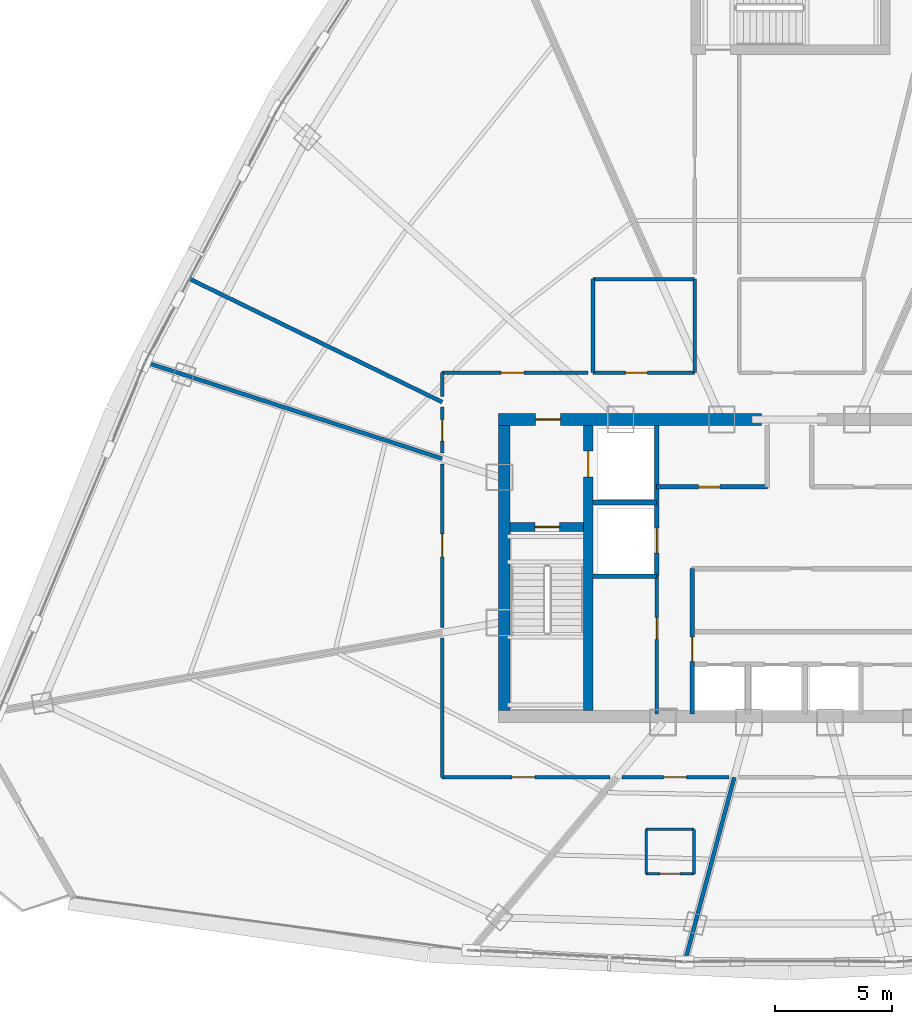
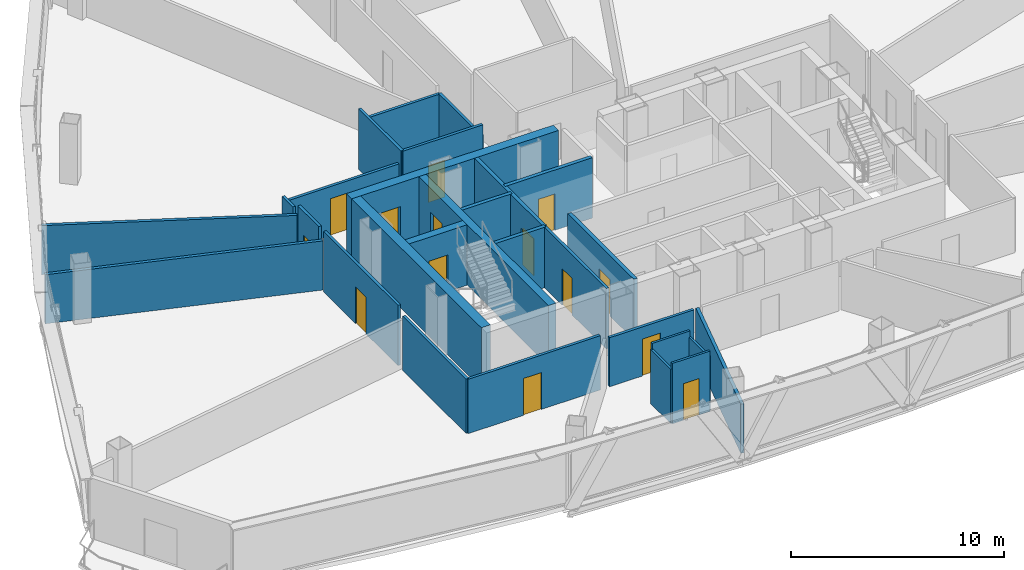
# One storey, part 30 of 37: 28 walls, 14 doors, 14 openings.
"""IFC4 building model written with IfcOpenShell, lengths in metres."""

from ifc_helpers import new_model, si_unit, direction, frame, frame_2d, origin, origin_with_axes, place, context, subcontext, project, spatial, rectangle, extrude, source, transform, mapped, material, layer, layer_set, type_object, element, fill, save


model = new_model("IFC4")

# Units and contexts
model_context = context("Model", 3, precision=1e-05, world=origin(), true_north=direction((0.0, 1.0)))
body_context = subcontext(model_context, "Body", "Model", "MODEL_VIEW")
ifc_project = project(units=[si_unit("LENGTHUNIT", "METRE"), si_unit("AREAUNIT", "SQUARE_METRE"), si_unit("VOLUMEUNIT", "CUBIC_METRE"), si_unit("PLANEANGLEUNIT", "RADIAN"), si_unit("MASSUNIT", "GRAM", prefix="KILO"), si_unit("THERMODYNAMICTEMPERATUREUNIT", "KELVIN"), si_unit("POWERUNIT", "WATT")], contexts=[model_context])

# Site, building, storey
site_placement = place(None, origin())
site = spatial("IfcSite", under=ifc_project, at=site_placement, CompositionType="ELEMENT")
building_placement = place(site_placement, origin())
building = spatial("IfcBuilding", under=site, at=building_placement, Name="Yunzhuo Pagoda Commons", CompositionType="ELEMENT")
storey_placement = place(building_placement, frame((0.0, 0.0, 255.719970703125)))
storey = spatial("IfcBuildingStorey", under=building, at=storey_placement, Name="L64", CompositionType="ELEMENT", Elevation=255.719970703125)

# Wall, opening, door
ifc_material_1 = material(Name="Concrete C50", Category="concrete")
ifc_layer_1 = layer(ifc_material_1, 0.5)
ifc_layer_set_1 = layer_set([ifc_layer_1], Name="Concrete C50")
wall_type_1 = type_object("IfcWallType", Name="W-C03 Upper Core Shear Wall 500", PredefinedType="SHEAR", material=ifc_layer_set_1)
wall_1_placement = place(storey_placement, frame((35.550048828125, 40.199951171875, 0.0), z_axis=(0.0, 0.0, 1.0), x_axis=(1.0, 0.0, 0.0)))
wall_1 = element("IfcWall", 1, at=wall_1_placement, inside=storey, type_object=wall_type_1, Name="L64 core shear wall NW", PredefinedType="SHEAR", context=body_context, shape_type="SweptSolid", body=[
    extrude(rectangle(XDim=11.25, YDim=0.5, at=frame_2d((5.625, 0.0))), origin(), (0.0, 0.0, 1.0), 3.469970703125),
])
opening_1_placement = place(wall_1_placement, frame((1.60009765625, 0.0, 0.0)))
opening_1 = element("IfcOpeningElement", 2, at=opening_1_placement, cuts=wall_1, Name="Opening D-02", PredefinedType="OPENING", context=body_context, shape_type="SweptSolid", body=[
    extrude(rectangle(XDim=1.050048828125, YDim=2.10009765625, at=frame_2d((0.52490234375, 1.050048828125))), frame((0.0, 0.260009765625, 0.0), z_axis=(0.0, -1.0, 0.0), x_axis=(1.0, 0.0, 0.0)), (0.0, 0.0, 1.0), 0.52001953125),
])
ifc_material_2 = material(Name="Galvanized fire-resisting metal leaf")
door_type_1 = type_object("IfcDoorType", Name="D-02 Firefighting Lobby & Refuge Fire Door 1050x2100", OperationType="NOTDEFINED", PredefinedType="DOOR", material=ifc_material_2)
shared_shape_1 = source(origin(), body_context, "Body", "SweptSolid", [
    extrude(rectangle(XDim=1.050048828125, YDim=2.10009765625, at=frame_2d((0.52490234375, 1.050048828125))), frame((0.0, 0.02490234375, 0.0), z_axis=(0.0, -1.0, 0.0), x_axis=(1.0, 0.0, 0.0)), (0.0, 0.0, 1.0), 0.050048828125),
])
door_1_placement = place(opening_1_placement, frame((1.050048828125, 0.0, 0.0), z_axis=(0.0, 0.0, 1.0), x_axis=(-1.0, 0.0, 0.0)))
door_1 = element("IfcDoor", 3, at=door_1_placement, inside=storey, type_object=door_type_1, Name="L64 Firefighting Lobby 1 fire door", OperationType="SINGLE_SWING_LEFT", OverallHeight=2.10009765625, OverallWidth=1.050048828125, PredefinedType="DOOR", context=body_context, shape_type="MappedRepresentation", body=[
    mapped(shared_shape_1, transform((0.0, 0.0, 0.0), scale=1.0)),
])
fill(opening_1, door_1)

# Wall
wall_2_placement = place(storey_placement, frame((35.800048828125, 27.75, 0.0), z_axis=(0.0, 0.0, 1.0), x_axis=(0.0, 1.0, 0.0)))
element("IfcWall", 4, at=wall_2_placement, inside=storey, type_object=wall_type_1, Name="L64 core shear wall W", PredefinedType="SHEAR", context=body_context, shape_type="SweptSolid", body=[
    extrude(rectangle(XDim=12.199951171875, YDim=0.5, at=frame_2d((6.10009765625, 0.0))), origin(), (0.0, 0.0, 1.0), 3.469970703125),
])

# Wall, opening, door
ifc_material_3 = material(Name="Gypsum plasterboard on acoustic stud")
ifc_layer_2 = layer(ifc_material_3, 0.14990234375)
ifc_layer_set_2 = layer_set([ifc_layer_2], Name="Gypsum plasterboard on acoustic stud")
wall_type_2 = type_object("IfcWallType", Name="W-COR3 High-Zone Rated Corridor Wall 150", PredefinedType="PARTITIONING", material=ifc_layer_set_2)
wall_3_placement = place(storey_placement, frame((42.320068359375, 27.60009765625, 0.0), z_axis=(0.0, 0.0, 1.0), x_axis=(0.0, 1.0, 0.0)))
wall_3 = element("IfcWall", 5, at=wall_3_placement, inside=storey, type_object=wall_type_2, Name="L64 interior wall IW-L64-CSWE", PredefinedType="PARTITIONING", context=body_context, shape_type="SweptSolid", body=[
    extrude(rectangle(XDim=5.89990234375, YDim=0.14990234375, at=frame_2d((2.949951171875, 0.0))), origin(), (0.0, 0.0, 1.0), 3.469970703125),
])
opening_2_placement = place(wall_3_placement, frame((3.199951171875, 0.0, 0.0)))
opening_2 = element("IfcOpeningElement", 6, at=opening_2_placement, cuts=wall_3, Name="Opening D-11", PredefinedType="OPENING", context=body_context, shape_type="SweptSolid", body=[
    extrude(rectangle(XDim=0.93994140625, YDim=2.10009765625, at=frame_2d((0.469970703125, 1.050048828125))), frame((0.0, 0.0849609375, 0.0), z_axis=(0.0, -1.0, 0.0), x_axis=(1.0, 0.0, 0.0)), (0.0, 0.0, 1.0), 0.169921875),
])
door_type_2 = type_object("IfcDoorType", Name="D-11 Accessible Washroom Fire Door 940x2100", OperationType="NOTDEFINED", PredefinedType="DOOR", material=ifc_material_2)
shared_shape_2 = source(origin(), body_context, "Body", "SweptSolid", [
    extrude(rectangle(XDim=0.93994140625, YDim=2.10009765625, at=frame_2d((0.469970703125, 1.050048828125))), frame((0.0, 0.02490234375, 0.0), z_axis=(0.0, -1.0, 0.0), x_axis=(1.0, 0.0, 0.0)), (0.0, 0.0, 1.0), 0.050048828125),
])
door_2_placement = place(opening_2_placement, origin_with_axes())
door_2 = element("IfcDoor", 7, at=door_2_placement, inside=storey, type_object=door_type_2, Name="L64 core WC door", OperationType="SINGLE_SWING_LEFT", OverallHeight=2.10009765625, OverallWidth=0.93994140625, PredefinedType="DOOR", context=body_context, shape_type="MappedRepresentation", body=[
    mapped(shared_shape_2, transform((0.0, 0.0, 0.0), scale=1.0)),
])
fill(opening_2, door_2)

wall_4_placement = place(storey_placement, frame((39.60009765625, 42.199951171875, 0.0), z_axis=(0.0, 0.0, 1.0), x_axis=(1.0, 0.0, 0.0)))
wall_4 = element("IfcWall", 8, at=wall_4_placement, inside=storey, type_object=wall_type_2, Name="L64 interior wall IW-L64-TFWS", PredefinedType="PARTITIONING", context=body_context, shape_type="SweptSolid", body=[
    extrude(rectangle(XDim=4.349853515625, YDim=0.14990234375, at=frame_2d((2.1748046875, 0.0))), origin(), (0.0, 0.0, 1.0), 3.469970703125),
])
opening_3_placement = place(wall_4_placement, frame((1.39990234375, 0.0, 0.0)))
opening_3 = element("IfcOpeningElement", 9, at=opening_3_placement, cuts=wall_4, Name="Opening D-04", PredefinedType="OPENING", context=body_context, shape_type="SweptSolid", body=[
    extrude(rectangle(XDim=0.919921875, YDim=2.10009765625, at=frame_2d((0.4599609375, 1.050048828125))), frame((0.0, 0.0849609375, 0.0), z_axis=(0.0, -1.0, 0.0), x_axis=(1.0, 0.0, 0.0)), (0.0, 0.0, 1.0), 0.169921875),
])
ifc_material_4 = material(Name="Powder-coated aluminium and timber acoustic leaf", Category="wood")
door_type_3 = type_object("IfcDoorType", Name="D-04 Bedroom & Study Interior Door 920x2100", OperationType="NOTDEFINED", PredefinedType="DOOR", material=ifc_material_4)
shared_shape_3 = source(origin(), body_context, "Body", "SweptSolid", [
    extrude(rectangle(XDim=0.919921875, YDim=2.10009765625, at=frame_2d((0.4599609375, 1.050048828125))), frame((0.0, 0.02490234375, 0.0), z_axis=(0.0, -1.0, 0.0), x_axis=(1.0, 0.0, 0.0)), (0.0, 0.0, 1.0), 0.050048828125),
])
door_3_placement = place(opening_3_placement, frame((0.919921875, 0.0, 0.0), z_axis=(0.0, 0.0, 1.0), x_axis=(-1.0, 0.0, 0.0)))
door_3 = element("IfcDoor", 10, at=door_3_placement, inside=storey, type_object=door_type_3, Name="L64 laundry door", OperationType="SINGLE_SWING_LEFT", OverallHeight=2.10009765625, OverallWidth=0.919921875, PredefinedType="DOOR", context=body_context, shape_type="MappedRepresentation", body=[
    mapped(shared_shape_3, transform((0.0, 0.0, 0.0), scale=1.0)),
])
fill(opening_3, door_3)

# Walls
wall_5_placement = place(storey_placement, frame((39.60009765625, 46.199951171875, 0.0), z_axis=(0.0, 0.0, 1.0), x_axis=(1.0, 0.0, 0.0)))
element("IfcWall", 11, at=wall_5_placement, inside=storey, type_object=wall_type_2, Name="L64 interior wall IW-L64-TFWN", PredefinedType="PARTITIONING", context=body_context, shape_type="SweptSolid", body=[
    extrude(rectangle(XDim=4.349853515625, YDim=0.14990234375, at=frame_2d((2.1748046875, 0.0))), origin(), (0.0, 0.0, 1.0), 2.820068359375),
])
wall_6_placement = place(storey_placement, frame((39.60009765625, 42.199951171875, 0.0), z_axis=(0.0, 0.0, 1.0), x_axis=(0.0, 1.0, 0.0)))
element("IfcWall", 12, at=wall_6_placement, inside=storey, type_object=wall_type_2, Name="L64 interior wall IW-L64-TFWW", PredefinedType="PARTITIONING", context=body_context, shape_type="SweptSolid", body=[
    extrude(rectangle(XDim=4.0, YDim=0.14990234375, at=frame_2d((2.0, 0.0))), origin(), (0.0, 0.0, 1.0), 3.469970703125),
])
wall_7_placement = place(storey_placement, frame((43.949951171875, 42.199951171875, 0.0), z_axis=(0.0, 0.0, 1.0), x_axis=(0.0, 1.0, 0.0)))
element("IfcWall", 13, at=wall_7_placement, inside=storey, type_object=wall_type_2, Name="L64 interior wall IW-L64-TFWE", PredefinedType="PARTITIONING", context=body_context, shape_type="SweptSolid", body=[
    extrude(rectangle(XDim=4.0, YDim=0.14990234375, at=frame_2d((2.0, 0.0))), origin(), (0.0, 0.0, 1.0), 2.820068359375),
])
wall_8_placement = place(storey_placement, frame((33.14990234375, 24.89990234375, 0.0), z_axis=(0.0, 0.0, 1.0), x_axis=(0.0, 1.0, 0.0)))
element("IfcWall", 14, at=wall_8_placement, inside=storey, type_object=wall_type_2, Name="L64 interior wall IW-L64-CWL01", PredefinedType="PARTITIONING", context=body_context, shape_type="SweptSolid", body=[
    extrude(rectangle(XDim=5.958251953125, YDim=0.14990234375, at=frame_2d((2.97900390625, 0.0))), origin(), (0.0, 0.0, 1.0), 3.1201171875),
])

# Wall, opening, door
wall_9_placement = place(storey_placement, frame((33.14990234375, 31.30126953125, 0.0), z_axis=(0.0, 0.0, 1.0), x_axis=(0.0, 1.0, 0.0)))
wall_9 = element("IfcWall", 15, at=wall_9_placement, inside=storey, type_object=wall_type_2, Name="L64 interior wall IW-L64-CWL02", PredefinedType="PARTITIONING", context=body_context, shape_type="SweptSolid", body=[
    extrude(rectangle(XDim=7.004150390625, YDim=0.14990234375, at=frame_2d((3.501953125, 0.0))), origin(), (0.0, 0.0, 1.0), 3.469970703125),
])
opening_4_placement = place(wall_9_placement, frame((3.027099609375, 0.0, 0.0)))
opening_4 = element("IfcOpeningElement", 16, at=opening_4_placement, cuts=wall_9, Name="Opening D-08", PredefinedType="OPENING", context=body_context, shape_type="SweptSolid", body=[
    extrude(rectangle(XDim=0.97998046875, YDim=2.1201171875, at=frame_2d((0.489990234375, 1.06005859375))), frame((0.0, 0.0849609375, 0.0), z_axis=(0.0, -1.0, 0.0), x_axis=(1.0, 0.0, 0.0)), (0.0, 0.0, 1.0), 0.169921875),
])
door_type_4 = type_object("IfcDoorType", Name="D-08 High-Zone Suite Entrance Fire Door 980x2120", OperationType="NOTDEFINED", PredefinedType="DOOR", material=ifc_material_2)
shared_shape_4 = source(origin(), body_context, "Body", "SweptSolid", [
    extrude(rectangle(XDim=0.97998046875, YDim=2.1201171875, at=frame_2d((0.489990234375, 1.06005859375))), frame((0.0, 0.02490234375, 0.0), z_axis=(0.0, -1.0, 0.0), x_axis=(1.0, 0.0, 0.0)), (0.0, 0.0, 1.0), 0.050048828125),
])
door_4_placement = place(opening_4_placement, origin_with_axes())
door_4 = element("IfcDoor", 17, at=door_4_placement, inside=storey, type_object=door_type_4, Name="L64 unit 07 entrance door", OperationType="SINGLE_SWING_LEFT", OverallHeight=2.1201171875, OverallWidth=0.97998046875, PredefinedType="DOOR", context=body_context, shape_type="MappedRepresentation", body=[
    mapped(shared_shape_4, transform((0.0, 0.0, 0.0), scale=1.0)),
])
fill(opening_4, door_4)

wall_10_placement = place(storey_placement, frame((33.14990234375, 38.75634765625, 0.0), z_axis=(0.0, 0.0, 1.0), x_axis=(0.0, 1.0, 0.0)))
wall_10 = element("IfcWall", 18, at=wall_10_placement, inside=storey, type_object=wall_type_2, Name="L64 interior wall IW-L64-CWL03", PredefinedType="PARTITIONING", context=body_context, shape_type="SweptSolid", body=[
    extrude(rectangle(XDim=1.966552734375, YDim=0.14990234375, at=frame_2d((0.9833984375, 0.0))), origin(), (0.0, 0.0, 1.0), 3.469970703125),
])
opening_5_placement = place(wall_10_placement, frame((0.517578125, 0.0, 0.0)))
opening_5 = element("IfcOpeningElement", 19, at=opening_5_placement, cuts=wall_10, Name="Opening D-04", PredefinedType="OPENING", context=body_context, shape_type="SweptSolid", body=[
    extrude(rectangle(XDim=0.919921875, YDim=2.10009765625, at=frame_2d((0.4599609375, 1.050048828125))), frame((0.0, 0.0849609375, 0.0), z_axis=(0.0, -1.0, 0.0), x_axis=(1.0, 0.0, 0.0)), (0.0, 0.0, 1.0), 0.169921875),
])
door_5_placement = place(opening_5_placement, origin_with_axes())
door_5 = element("IfcDoor", 20, at=door_5_placement, inside=storey, type_object=door_type_3, Name="L64 seminar room 06 door", OperationType="SINGLE_SWING_RIGHT", OverallHeight=2.10009765625, OverallWidth=0.919921875, PredefinedType="DOOR", context=body_context, shape_type="MappedRepresentation", body=[
    mapped(shared_shape_3, transform((0.0, 0.0, 0.0), scale=1.0)),
])
fill(opening_5, door_5)

# Wall
wall_11_placement = place(storey_placement, frame((33.14990234375, 41.1875, 0.0), z_axis=(0.0, 0.0, 1.0), x_axis=(0.0, 1.0, 0.0)))
element("IfcWall", 21, at=wall_11_placement, inside=storey, type_object=wall_type_2, Name="L64 interior wall IW-L64-CWL04", PredefinedType="PARTITIONING", context=body_context, shape_type="SweptSolid", body=[
    extrude(rectangle(XDim=1.012451171875, YDim=0.14990234375, at=frame_2d((0.50634765625, 0.0))), origin(), (0.0, 0.0, 1.0), 3.1201171875),
])

# Wall, opening, door
wall_12_placement = place(storey_placement, frame((33.14990234375, 42.199951171875, 0.0), z_axis=(0.0, 0.0, 1.0), x_axis=(1.0, 0.0, 0.0)))
wall_12 = element("IfcWall", 22, at=wall_12_placement, inside=storey, type_object=wall_type_2, Name="L64 interior wall IW-L64-CWL05", PredefinedType="PARTITIONING", context=body_context, shape_type="SweptSolid", body=[
    extrude(rectangle(XDim=6.22998046875, YDim=0.14990234375, at=frame_2d((3.114990234375, 0.0))), origin(), (0.0, 0.0, 1.0), 2.820068359375),
])
opening_6_placement = place(wall_12_placement, frame((2.52001953125, 0.0, 0.0)))
opening_6 = element("IfcOpeningElement", 23, at=opening_6_placement, cuts=wall_12, Name="Opening D-08", PredefinedType="OPENING", context=body_context, shape_type="SweptSolid", body=[
    extrude(rectangle(XDim=0.97998046875, YDim=2.1201171875, at=frame_2d((0.489990234375, 1.06005859375))), frame((0.0, 0.0849609375, 0.0), z_axis=(0.0, -1.0, 0.0), x_axis=(1.0, 0.0, 0.0)), (0.0, 0.0, 1.0), 0.169921875),
])
door_6_placement = place(opening_6_placement, origin_with_axes())
door_6 = element("IfcDoor", 24, at=door_6_placement, inside=storey, type_object=door_type_4, Name="L64 Resident Co-Living Commons Hall door", OperationType="SINGLE_SWING_LEFT", OverallHeight=2.1201171875, OverallWidth=0.97998046875, PredefinedType="DOOR", context=body_context, shape_type="MappedRepresentation", body=[
    mapped(shared_shape_4, transform((0.0, 0.0, 0.0), scale=1.0)),
])
fill(opening_6, door_6)

wall_13_placement = place(storey_placement, frame((45.414306640625, 24.89990234375, 0.0), z_axis=(0.0, 0.0, 1.0), x_axis=(-1.0, 0.0, 0.0)))
wall_13 = element("IfcWall", 25, at=wall_13_placement, inside=storey, type_object=wall_type_2, Name="L64 interior wall IW-L64-CWL16", PredefinedType="PARTITIONING", context=body_context, shape_type="SweptSolid", body=[
    extrude(rectangle(XDim=4.57861328125, YDim=0.14990234375, at=frame_2d((2.289306640625, 0.0))), origin(), (0.0, 0.0, 1.0), 2.820068359375),
])
opening_7_placement = place(wall_13_placement, frame((1.810302734375, 0.0, 0.0)))
opening_7 = element("IfcOpeningElement", 26, at=opening_7_placement, cuts=wall_13, Name="Opening D-08", PredefinedType="OPENING", context=body_context, shape_type="SweptSolid", body=[
    extrude(rectangle(XDim=0.97998046875, YDim=2.1201171875, at=frame_2d((0.489990234375, 1.06005859375))), frame((0.0, 0.0849609375, 0.0), z_axis=(0.0, -1.0, 0.0), x_axis=(1.0, 0.0, 0.0)), (0.0, 0.0, 1.0), 0.169921875),
])
door_7_placement = place(opening_7_placement, origin_with_axes())
door_7 = element("IfcDoor", 27, at=door_7_placement, inside=storey, type_object=door_type_4, Name="L64 unit 09 entrance door", OperationType="SINGLE_SWING_LEFT", OverallHeight=2.1201171875, OverallWidth=0.97998046875, PredefinedType="DOOR", context=body_context, shape_type="MappedRepresentation", body=[
    mapped(shared_shape_4, transform((0.0, 0.0, 0.0), scale=1.0)),
])
fill(opening_7, door_7)

wall_14_placement = place(storey_placement, frame((40.32861328125, 24.89990234375, 0.0), z_axis=(0.0, 0.0, 1.0), x_axis=(-1.0, 0.0, 0.0)))
wall_14 = element("IfcWall", 28, at=wall_14_placement, inside=storey, type_object=wall_type_2, Name="L64 interior wall IW-L64-CWL17", PredefinedType="PARTITIONING", context=body_context, shape_type="SweptSolid", body=[
    extrude(rectangle(XDim=7.1787109375, YDim=0.14990234375, at=frame_2d((3.58935546875, 0.0))), origin(), (0.0, 0.0, 1.0), 3.1201171875),
])
opening_8_placement = place(wall_14_placement, frame((3.20068359375, 0.0, 0.0)))
opening_8 = element("IfcOpeningElement", 29, at=opening_8_placement, cuts=wall_14, Name="Opening D-08", PredefinedType="OPENING", context=body_context, shape_type="SweptSolid", body=[
    extrude(rectangle(XDim=0.97998046875, YDim=2.1201171875, at=frame_2d((0.489990234375, 1.06005859375))), frame((0.0, 0.0849609375, 0.0), z_axis=(0.0, -1.0, 0.0), x_axis=(1.0, 0.0, 0.0)), (0.0, 0.0, 1.0), 0.169921875),
])
door_8_placement = place(opening_8_placement, origin_with_axes())
door_8 = element("IfcDoor", 30, at=door_8_placement, inside=storey, type_object=door_type_4, Name="L64 unit 08 entrance door", OperationType="SINGLE_SWING_RIGHT", OverallHeight=2.1201171875, OverallWidth=0.97998046875, PredefinedType="DOOR", context=body_context, shape_type="MappedRepresentation", body=[
    mapped(shared_shape_4, transform((0.0, 0.0, 0.0), scale=1.0)),
])
fill(opening_8, door_8)

ifc_layer_3 = layer(ifc_material_3, 0.1201171875)
ifc_layer_set_3 = layer_set([ifc_layer_3], Name="Gypsum plasterboard on acoustic stud")
wall_type_3 = type_object("IfcWallType", Name="W-PRT1 Suite & Bathroom Partition 120", PredefinedType="PARTITIONING", material=ifc_layer_set_3)
wall_15_placement = place(storey_placement, frame((41.873046875, 20.777099609375, 0.0), z_axis=(0.0, 0.0, 1.0), x_axis=(1.0, 0.0, 0.0)))
wall_15 = element("IfcWall", 31, at=wall_15_placement, inside=storey, type_object=wall_type_3, Name="L64 interior wall IW-L64-B09S", PredefinedType="PARTITIONING", context=body_context, shape_type="SweptSolid", body=[
    extrude(rectangle(XDim=2.050048828125, YDim=0.1201171875, at=frame_2d((1.02490234375, 0.0))), origin(), (0.0, 0.0, 1.0), 3.469970703125),
])
opening_9_placement = place(wall_15_placement, frame((0.60009765625, 0.0, 0.0)))
opening_9 = element("IfcOpeningElement", 32, at=opening_9_placement, cuts=wall_15, Name="Opening D-05", PredefinedType="OPENING", context=body_context, shape_type="SweptSolid", body=[
    extrude(rectangle(XDim=0.85009765625, YDim=2.10009765625, at=frame_2d((0.425048828125, 1.050048828125))), frame((0.0, 0.070068359375, 0.0), z_axis=(0.0, -1.0, 0.0), x_axis=(1.0, 0.0, 0.0)), (0.0, 0.0, 1.0), 0.14013671875),
])
door_type_5 = type_object("IfcDoorType", Name="D-05 En-Suite Bathroom Door 850x2100", OperationType="NOTDEFINED", PredefinedType="DOOR", material=ifc_material_4)
shared_shape_5 = source(origin(), body_context, "Body", "SweptSolid", [
    extrude(rectangle(XDim=0.85009765625, YDim=2.10009765625, at=frame_2d((0.425048828125, 1.050048828125))), frame((0.0, 0.02490234375, 0.0), z_axis=(0.0, -1.0, 0.0), x_axis=(1.0, 0.0, 0.0)), (0.0, 0.0, 1.0), 0.050048828125),
])
door_9_placement = place(opening_9_placement, frame((0.85009765625, 0.0, 0.0), z_axis=(0.0, 0.0, 1.0), x_axis=(-1.0, 0.0, 0.0)))
door_9 = element("IfcDoor", 33, at=door_9_placement, inside=storey, type_object=door_type_5, Name="L64 unit 09 bathroom door", OperationType="SINGLE_SWING_LEFT", OverallHeight=2.10009765625, OverallWidth=0.85009765625, PredefinedType="DOOR", context=body_context, shape_type="MappedRepresentation", body=[
    mapped(shared_shape_5, transform((0.0, 0.0, 0.0), scale=1.0)),
])
fill(opening_9, door_9)

# Walls
wall_16_placement = place(storey_placement, frame((43.923095703125, 20.777099609375, 0.0), z_axis=(0.0, 0.0, 1.0), x_axis=(0.0, 1.0, 0.0)))
element("IfcWall", 34, at=wall_16_placement, inside=storey, type_object=wall_type_3, Name="L64 interior wall IW-L64-B09E", PredefinedType="PARTITIONING", context=body_context, shape_type="SweptSolid", body=[
    extrude(rectangle(XDim=1.89990234375, YDim=0.1201171875, at=frame_2d((0.949951171875, 0.0))), origin(), (0.0, 0.0, 1.0), 3.1201171875),
])
wall_17_placement = place(storey_placement, frame((43.923095703125, 22.677001953125, 0.0), z_axis=(0.0, 0.0, 1.0), x_axis=(-1.0, 0.0, 0.0)))
element("IfcWall", 35, at=wall_17_placement, inside=storey, type_object=wall_type_3, Name="L64 interior wall IW-L64-B09N", PredefinedType="PARTITIONING", context=body_context, shape_type="SweptSolid", body=[
    extrude(rectangle(XDim=2.050048828125, YDim=0.1201171875, at=frame_2d((1.02490234375, 0.0))), origin(), (0.0, 0.0, 1.0), 3.469970703125),
])
wall_18_placement = place(storey_placement, frame((41.873046875, 22.677001953125, 0.0), z_axis=(0.0, 0.0, 1.0), x_axis=(0.0, -1.0, 0.0)))
element("IfcWall", 36, at=wall_18_placement, inside=storey, type_object=wall_type_3, Name="L64 interior wall IW-L64-B09W", PredefinedType="PARTITIONING", context=body_context, shape_type="SweptSolid", body=[
    extrude(rectangle(XDim=1.89990234375, YDim=0.1201171875, at=frame_2d((0.949951171875, 0.0))), origin(), (0.0, 0.0, 1.0), 3.1201171875),
])
ifc_layer_4 = layer(ifc_material_3, 0.169921875)
ifc_layer_set_4 = layer_set([ifc_layer_4], Name="Gypsum plasterboard on acoustic stud")
wall_type_4 = type_object("IfcWallType", Name="W-PRT4 High-Zone Demising Wall 170", PredefinedType="PARTITIONING", material=ifc_layer_set_4)
wall_19_placement = place(storey_placement, frame((33.14990234375, 40.94287109375, 0.0), z_axis=(0.0, 0.0, 1.0), x_axis=(-0.89879494126, 0.438369311842, 0.0)))
element("IfcWall", 37, at=wall_19_placement, inside=storey, type_object=wall_type_4, Name="L64 interior wall IW-L64-RAD06", PredefinedType="PARTITIONING", context=body_context, shape_type="SweptSolid", body=[
    extrude(rectangle(XDim=12.04296875, YDim=0.169921875, at=frame_2d((6.021484375, 0.0))), origin(), (0.0, 0.0, 1.0), 2.820068359375),
])
wall_20_placement = place(storey_placement, frame((33.14990234375, 38.525146484375, 0.0), z_axis=(0.0, 0.0, 1.0), x_axis=(-0.951055435747, 0.30902031994, 0.0)))
element("IfcWall", 38, at=wall_20_placement, inside=storey, type_object=wall_type_4, Name="L64 interior wall IW-L64-RAD07", PredefinedType="PARTITIONING", context=body_context, shape_type="SweptSolid", body=[
    extrude(rectangle(XDim=13.349365234375, YDim=0.169921875, at=frame_2d((6.6748046875, 0.0))), origin(), (0.0, 0.0, 1.0), 2.820068359375),
])
wall_21_placement = place(storey_placement, frame((45.64208984375, 24.89990234375, 0.0), z_axis=(0.0, 0.0, 1.0), x_axis=(-0.258833622746, -0.965921920103, 0.0)))
element("IfcWall", 39, at=wall_21_placement, inside=storey, type_object=wall_type_4, Name="L64 interior wall IW-L64-RAD10", PredefinedType="PARTITIONING", context=body_context, shape_type="SweptSolid", body=[
    extrude(rectangle(XDim=8.174072265625, YDim=0.169921875, at=frame_2d((4.0869140625, 0.0))), origin(), (0.0, 0.0, 1.0), 2.820068359375),
])

# Wall, opening, door
ifc_material_5 = material(Name="Concrete C60", Category="concrete")
ifc_layer_5 = layer(ifc_material_5, 0.39990234375)
ifc_layer_set_5 = layer_set([ifc_layer_5], Name="Concrete C60")
wall_type_5 = type_object("IfcWallType", Name="W-S01 Internal Core Shear Web 400", PredefinedType="SHEAR", material=ifc_layer_set_5)
wall_22_placement = place(storey_placement, frame((39.39990234375, 27.75, 0.0), z_axis=(0.0, 0.0, 1.0), x_axis=(0.0, 1.0, 0.0)))
wall_22 = element("IfcWall", 40, at=wall_22_placement, inside=storey, type_object=wall_type_5, Name="L64 core shear wall WEBW", PredefinedType="SHEAR", context=body_context, shape_type="SweptSolid", body=[
    extrude(rectangle(XDim=12.199951171875, YDim=0.39990234375, at=frame_2d((6.10009765625, 0.0))), origin(), (0.0, 0.0, 1.0), 3.469970703125),
])
opening_10_placement = place(wall_22_placement, frame((10.0, 0.0, 0.0)))
opening_10 = element("IfcOpeningElement", 41, at=opening_10_placement, cuts=wall_22, Name="Opening LD-01", PredefinedType="OPENING", context=body_context, shape_type="SweptSolid", body=[
    extrude(rectangle(XDim=1.10009765625, YDim=2.10009765625, at=frame_2d((0.550048828125, 1.050048828125))), frame((0.0, 0.2099609375, 0.0), z_axis=(0.0, -1.0, 0.0), x_axis=(1.0, 0.0, 0.0)), (0.0, 0.0, 1.0), 0.419921875),
])
door_type_6 = type_object("IfcDoorType", Name="LD-01 Firefighting Lift Landing Door 1100x2100", OperationType="DOUBLE_DOOR_SLIDING", PredefinedType="DOOR", material=ifc_material_2)
shared_shape_6 = source(origin(), body_context, "Body", "SweptSolid", [
    extrude(rectangle(XDim=1.10009765625, YDim=2.10009765625, at=frame_2d((0.550048828125, 1.050048828125))), frame((0.0, 0.02490234375, 0.0), z_axis=(0.0, -1.0, 0.0), x_axis=(1.0, 0.0, 0.0)), (0.0, 0.0, 1.0), 0.050048828125),
])
door_10_placement = place(opening_10_placement, frame((1.10009765625, 0.0, 0.0), z_axis=(0.0, 0.0, 1.0), x_axis=(-1.0, 0.0, 0.0)))
door_10 = element("IfcDoor", 42, at=door_10_placement, inside=storey, type_object=door_type_6, Name="L64 Firefighting lift FL-1 landing door", OperationType="DOUBLE_DOOR_SLIDING", OverallHeight=2.10009765625, OverallWidth=1.10009765625, PredefinedType="DOOR", context=body_context, shape_type="MappedRepresentation", body=[
    mapped(shared_shape_6, transform((0.0, 0.0, 0.0), scale=1.0)),
])
fill(opening_10, door_10)

wall_23_placement = place(storey_placement, frame((36.050048828125, 35.60009765625, 0.0), z_axis=(0.0, 0.0, 1.0), x_axis=(1.0, 0.0, 0.0)))
wall_23 = element("IfcWall", 43, at=wall_23_placement, inside=storey, type_object=wall_type_5, Name="L64 core shear wall STW", PredefinedType="SHEAR", context=body_context, shape_type="SweptSolid", body=[
    extrude(rectangle(XDim=3.14990234375, YDim=0.39990234375, at=frame_2d((1.574951171875, 0.0))), origin(), (0.0, 0.0, 1.0), 3.469970703125),
])
opening_11_placement = place(wall_23_placement, frame((1.070068359375, 0.0, 0.0)))
opening_11 = element("IfcOpeningElement", 44, at=opening_11_placement, cuts=wall_23, Name="Opening D-01", PredefinedType="OPENING", context=body_context, shape_type="SweptSolid", body=[
    extrude(rectangle(XDim=1.050048828125, YDim=2.10009765625, at=frame_2d((0.52490234375, 1.050048828125))), frame((0.0, 0.2099609375, 0.0), z_axis=(0.0, -1.0, 0.0), x_axis=(1.0, 0.0, 0.0)), (0.0, 0.0, 1.0), 0.419921875),
])
door_type_7 = type_object("IfcDoorType", Name="D-01 Smokeproof Stair Fire Door 1050x2100", OperationType="NOTDEFINED", PredefinedType="DOOR", material=ifc_material_2)
door_11_placement = place(opening_11_placement, frame((1.050048828125, 0.0, 0.0), z_axis=(0.0, 0.0, 1.0), x_axis=(-1.0, 0.0, 0.0)))
door_11 = element("IfcDoor", 45, at=door_11_placement, inside=storey, type_object=door_type_7, Name="L64 Stair ST1 fire door", OperationType="SINGLE_SWING_LEFT", OverallHeight=2.10009765625, OverallWidth=1.050048828125, PredefinedType="DOOR", context=body_context, shape_type="MappedRepresentation", body=[
    mapped(shared_shape_1, transform((0.0, 0.0, 0.0), scale=1.0)),
])
fill(opening_11, door_11)

ifc_material_6 = material(Name="Concrete C40", Category="concrete")
ifc_layer_6 = layer(ifc_material_6, 0.199951171875)
ifc_layer_set_6 = layer_set([ifc_layer_6], Name="Concrete C40")
wall_type_6 = type_object("IfcWallType", Name="W-SHF Shaft & Stair Enclosure Wall 200", PredefinedType="SOLIDWALL", material=ifc_layer_set_6)
wall_24_placement = place(storey_placement, frame((42.320068359375, 33.5, 0.0), z_axis=(0.0, 0.0, 1.0), x_axis=(0.0, 1.0, 0.0)))
wall_24 = element("IfcWall", 46, at=wall_24_placement, inside=storey, type_object=wall_type_6, Name="L64 interior wall IW-L64-FL1E", PredefinedType="SOLIDWALL", context=body_context, shape_type="SweptSolid", body=[
    extrude(rectangle(XDim=6.449951171875, YDim=0.199951171875, at=frame_2d((3.22509765625, 0.0))), origin(), (0.0, 0.0, 1.0), 3.469970703125),
])
opening_12_placement = place(wall_24_placement, frame((1.0, 0.0, 0.0)))
opening_12 = element("IfcOpeningElement", 47, at=opening_12_placement, cuts=wall_24, Name="Opening LD-02", PredefinedType="OPENING", context=body_context, shape_type="SweptSolid", body=[
    extrude(rectangle(XDim=1.050048828125, YDim=2.10009765625, at=frame_2d((0.52490234375, 1.050048828125))), frame((0.0, 0.10986328125, 0.0), z_axis=(0.0, -1.0, 0.0), x_axis=(1.0, 0.0, 0.0)), (0.0, 0.0, 1.0), 0.219970703125),
])
door_type_8 = type_object("IfcDoorType", Name="LD-02 Passenger Lift Landing Door 1050x2100", OperationType="DOUBLE_DOOR_SLIDING", PredefinedType="DOOR", material=ifc_material_2)
door_12_placement = place(opening_12_placement, origin_with_axes())
door_12 = element("IfcDoor", 48, at=door_12_placement, inside=storey, type_object=door_type_8, Name="L64 Service lift SL-1 landing door", OperationType="DOUBLE_DOOR_SLIDING", OverallHeight=2.10009765625, OverallWidth=1.050048828125, PredefinedType="DOOR", context=body_context, shape_type="MappedRepresentation", body=[
    mapped(shared_shape_1, transform((0.0, 0.0, 0.0), scale=1.0)),
])
fill(opening_12, door_12)

# Walls
for number, where, z_axis, x_axis, name in (
    (49, (39.60009765625, 36.64990234375, 0.0), (0.0, 0.0, 1.0), (1.0, 0.0, 0.0), "L64 interior wall IW-L64-FL1S"),
    (50, (39.60009765625, 33.5, 0.0), (0.0, 0.0, 1.0), (1.0, 0.0, 0.0), "L64 interior wall IW-L64-SL1S"),
):
    element("IfcWall", number, at=place(storey_placement, frame(where, z_axis=z_axis, x_axis=x_axis)), inside=storey, type_object=wall_type_6, Name=name, PredefinedType="SOLIDWALL", context=body_context, shape_type="SweptSolid", body=[
        extrude(rectangle(XDim=2.719970703125, YDim=0.199951171875, at=frame_2d((1.35986328125, 0.0))), origin(), (0.0, 0.0, 1.0), 3.469970703125),
    ])

# Wall, opening, door
wall_25_placement = place(storey_placement, frame((42.320068359375, 37.320068359375, 0.0), z_axis=(0.0, 0.0, 1.0), x_axis=(1.0, 0.0, 0.0)))
wall_25 = element("IfcWall", 51, at=wall_25_placement, inside=storey, type_object=wall_type_6, Name="L64 interior wall IW-L64-LBNW", PredefinedType="SOLIDWALL", context=body_context, shape_type="SweptSolid", body=[
    extrude(rectangle(XDim=4.72998046875, YDim=0.199951171875, at=frame_2d((2.364990234375, 0.0))), origin(), (0.0, 0.0, 1.0), 3.469970703125),
])
opening_13_placement = place(wall_25_placement, frame((1.800048828125, 0.0, 0.0)))
opening_13 = element("IfcOpeningElement", 52, at=opening_13_placement, cuts=wall_25, Name="Opening D-03", PredefinedType="OPENING", context=body_context, shape_type="SweptSolid", body=[
    extrude(rectangle(XDim=0.89990234375, YDim=2.10009765625, at=frame_2d((0.449951171875, 1.050048828125))), frame((0.0, 0.10986328125, 0.0), z_axis=(0.0, -1.0, 0.0), x_axis=(1.0, 0.0, 0.0)), (0.0, 0.0, 1.0), 0.219970703125),
])
door_type_9 = type_object("IfcDoorType", Name="D-03 Core Service Fire Door 900x2100", OperationType="NOTDEFINED", PredefinedType="DOOR", material=ifc_material_2)
shared_shape_7 = source(origin(), body_context, "Body", "SweptSolid", [
    extrude(rectangle(XDim=0.89990234375, YDim=2.10009765625, at=frame_2d((0.449951171875, 1.050048828125))), frame((0.0, 0.02490234375, 0.0), z_axis=(0.0, -1.0, 0.0), x_axis=(1.0, 0.0, 0.0)), (0.0, 0.0, 1.0), 0.050048828125),
])
door_13_placement = place(opening_13_placement, frame((0.89990234375, 0.0, 0.0), z_axis=(0.0, 0.0, 1.0), x_axis=(-1.0, 0.0, 0.0)))
door_13 = element("IfcDoor", 53, at=door_13_placement, inside=storey, type_object=door_type_9, Name="L64 core west store door", OperationType="SINGLE_SWING_LEFT", OverallHeight=2.10009765625, OverallWidth=0.89990234375, PredefinedType="DOOR", context=body_context, shape_type="MappedRepresentation", body=[
    mapped(shared_shape_7, transform((0.0, 0.0, 0.0), scale=1.0)),
])
fill(opening_13, door_13)

wall_26_placement = place(storey_placement, frame((43.85009765625, 27.60009765625, 0.0), z_axis=(0.0, 0.0, 1.0), x_axis=(0.0, 1.0, 0.0)))
wall_26 = element("IfcWall", 54, at=wall_26_placement, inside=storey, type_object=wall_type_6, Name="L64 interior wall IW-L64-PLMW", PredefinedType="SOLIDWALL", context=body_context, shape_type="SweptSolid", body=[
    extrude(rectangle(XDim=6.219970703125, YDim=0.199951171875, at=frame_2d((3.10986328125, 0.0))), origin(), (0.0, 0.0, 1.0), 3.469970703125),
])
opening_14_placement = place(wall_26_placement, frame((2.25, 0.0, 0.0)))
opening_14 = element("IfcOpeningElement", 55, at=opening_14_placement, cuts=wall_26, Name="Opening D-02", PredefinedType="OPENING", context=body_context, shape_type="SweptSolid", body=[
    extrude(rectangle(XDim=1.050048828125, YDim=2.10009765625, at=frame_2d((0.52490234375, 1.050048828125))), frame((0.0, 0.10986328125, 0.0), z_axis=(0.0, -1.0, 0.0), x_axis=(1.0, 0.0, 0.0)), (0.0, 0.0, 1.0), 0.219970703125),
])
door_14_placement = place(opening_14_placement, frame((1.050048828125, 0.0, 0.0), z_axis=(0.0, 0.0, 1.0), x_axis=(-1.0, 0.0, 0.0)))
door_14 = element("IfcDoor", 56, at=door_14_placement, inside=storey, type_object=door_type_1, Name="L64 High-bank hall west door", OperationType="SINGLE_SWING_LEFT", OverallHeight=2.10009765625, OverallWidth=1.050048828125, PredefinedType="DOOR", context=body_context, shape_type="MappedRepresentation", body=[
    mapped(shared_shape_1, transform((0.0, 0.0, 0.0), scale=1.0)),
])
fill(opening_14, door_14)

save(model, "model.ifc")
